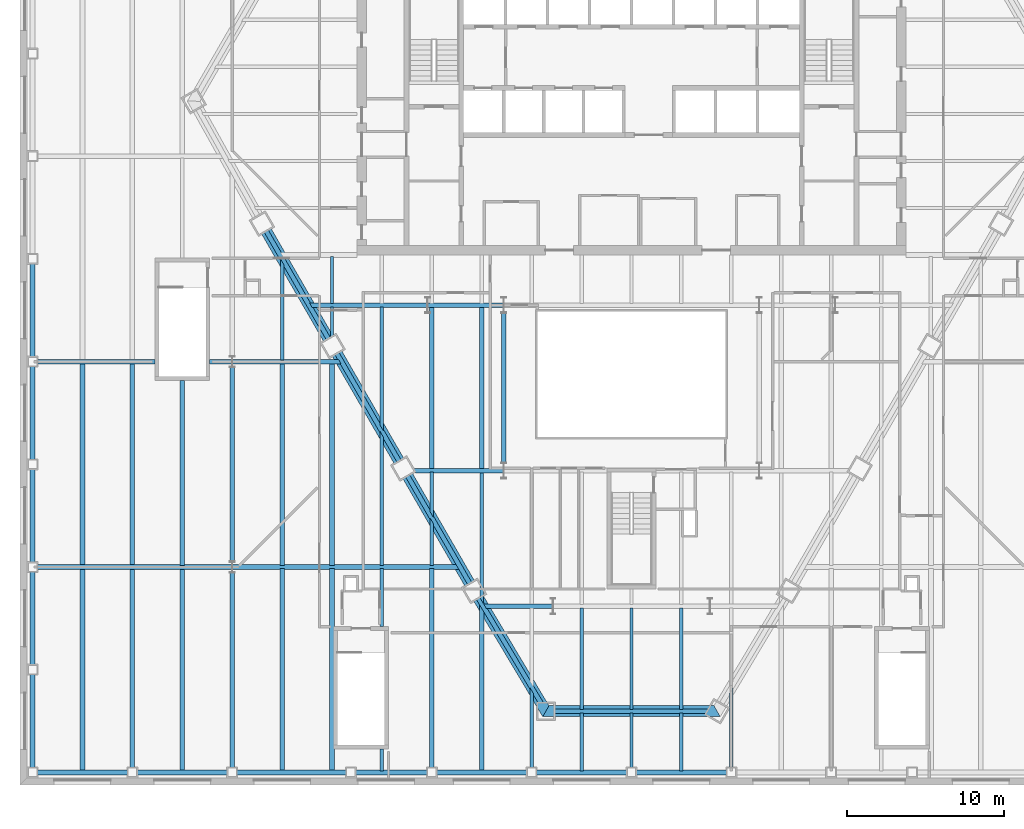
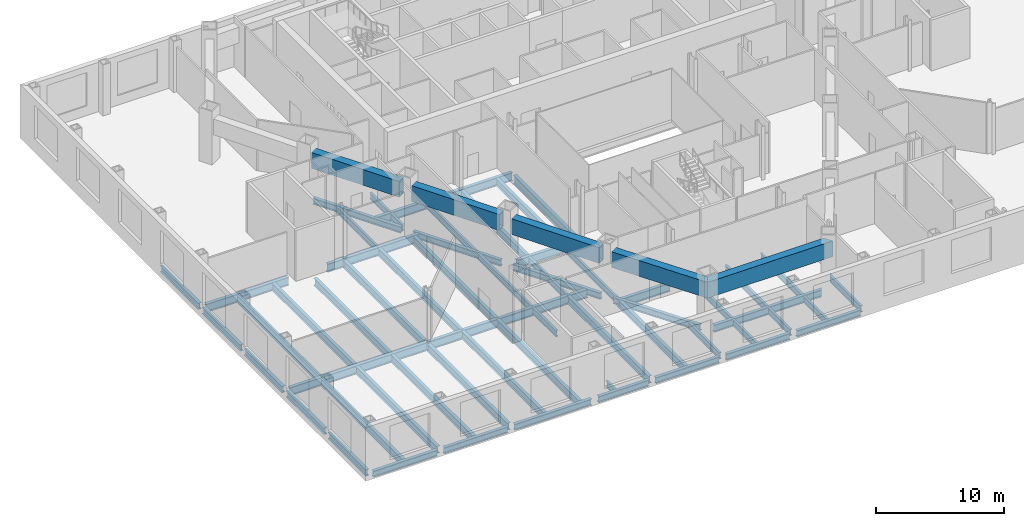
# One storey, part 4 of 17: 66 beams.
"""IFC4 building model written with IfcOpenShell, lengths in metres."""

from ifc_helpers import new_model, si_unit, direction, frame, origin, origin_2d, place, context, subcontext, project, spatial, hollow_rectangle, i_section, extrude, clip, halfspace, material, material_profile, profile_set, type_object, element, save


model = new_model("IFC4")

# Units and contexts
model_context = context("Model", 3, precision=1e-05, world=origin(), true_north=direction((0.0, 1.0)))
body_context = subcontext(model_context, "Body", "Model", "MODEL_VIEW")
ifc_project = project(units=[si_unit("LENGTHUNIT", "METRE"), si_unit("AREAUNIT", "SQUARE_METRE"), si_unit("VOLUMEUNIT", "CUBIC_METRE"), si_unit("PLANEANGLEUNIT", "RADIAN"), si_unit("MASSUNIT", "GRAM", prefix="KILO")], contexts=[model_context])

# Site, building, storey
site_placement = place(None, origin())
site = spatial("IfcSite", under=ifc_project, at=site_placement, CompositionType="ELEMENT")
building_placement = place(site_placement, origin())
building = spatial("IfcBuilding", under=site, at=building_placement, Name="Njiva Tower", CompositionType="ELEMENT")
storey_placement = place(building_placement, frame((0.0, 0.0, 23.7)))
storey = spatial("IfcBuildingStorey", under=building, at=storey_placement, Name="L04", CompositionType="ELEMENT", Elevation=23.7)

# Beams
ifc_material = material(Name="Steel S355 J2", Category="steel")
ifc_material_profile_1 = material_profile(ifc_material, i_section(OverallWidth=0.3, OverallDepth=0.69, WebThickness=0.0145, FlangeThickness=0.027, at=origin_2d()), Name="HEA 700")
ifc_profile_set_1 = profile_set([ifc_material_profile_1], Name="Steel S355 J2")
beam_type_1 = type_object("IfcBeamType", Name="B1 Long-span spandrel beam HEA 700", PredefinedType="SPANDREL", material=ifc_profile_set_1)
beam_1_placement = place(storey_placement, frame((-4.911, -29.096, -0.565), z_axis=(1.0, 0.0, 0.0), x_axis=(0.0, 1.0, 0.0)))
element("IfcBeam", 1, at=beam_1_placement, inside=storey, type_object=beam_type_1, Name="Long-span spandrel beam L04-B160", PredefinedType="SPANDREL", context=body_context, shape_type="Clipping", body=[
    clip(extrude(i_section(OverallWidth=0.3, OverallDepth=0.69, WebThickness=0.0145, FlangeThickness=0.027, at=origin_2d()), origin(), (0.0, 0.0, 1.0), 9.844), halfspace(frame((-0.0254, 0.0, 9.7223), z_axis=(-0.499998009787, 0.0, 0.866026552831), x_axis=(0.0, 1.0, 0.0)), False)),
])
ifc_material_profile_2 = material_profile(ifc_material, i_section(OverallWidth=0.3, OverallDepth=0.69, WebThickness=0.0145, FlangeThickness=0.027, at=origin_2d()), Name="HEA 700")
ifc_profile_set_2 = profile_set([ifc_material_profile_2], Name="Steel S355 J2")
beam_type_2 = type_object("IfcBeamType", Name="B12 Long-span floor joist HEA 700", PredefinedType="JOIST", material=ifc_profile_set_2)
for number, where, z_axis, x_axis, name in (
    (2, (-35.017, -6.9, -0.565), (0.0, -1.0, 0.0), (1.0, 0.0, 0.0), "Long-span floor joist L04-B037"),
    (3, (-35.017, -20.0, -0.565), (0.0, -1.0, 0.0), (1.0, 0.0, 0.0), "Long-span floor joist L04-B036"),
    (4, (-31.833, -6.9, -0.565), (0.0, -1.0, 0.0), (1.0, 0.0, 0.0), "Long-span floor joist L04-B041"),
):
    element("IfcBeam", number, at=place(storey_placement, frame(where, z_axis=z_axis, x_axis=x_axis)), inside=storey, type_object=beam_type_2, Name=name, PredefinedType="JOIST", context=body_context, shape_type="SweptSolid", body=[
        extrude(i_section(OverallWidth=0.3, OverallDepth=0.69, WebThickness=0.0145, FlangeThickness=0.027, at=origin_2d()), origin(), (0.0, 0.0, 1.0), 12.9),
    ])
beam_2_placement = place(storey_placement, frame((-31.833, -20.0, -0.565), z_axis=(0.0, -1.0, 0.0), x_axis=(1.0, 0.0, 0.0)))
element("IfcBeam", 5, at=beam_2_placement, inside=storey, type_object=beam_type_2, Name="Long-span floor joist L04-B040", PredefinedType="JOIST", context=body_context, shape_type="SweptSolid", body=[
    extrude(i_section(OverallWidth=0.3, OverallDepth=0.69, WebThickness=0.0145, FlangeThickness=0.027, at=origin_2d()), origin(), (0.0, 0.0, 1.0), 12.7),
])
beam_3_placement = place(storey_placement, frame((-28.65, -8.0, -0.565), z_axis=(0.0, -1.0, 0.0), x_axis=(1.0, 0.0, 0.0)))
element("IfcBeam", 6, at=beam_3_placement, inside=storey, type_object=beam_type_2, Name="Long-span floor joist L04-B045", PredefinedType="JOIST", context=body_context, shape_type="SweptSolid", body=[
    extrude(i_section(OverallWidth=0.3, OverallDepth=0.69, WebThickness=0.0145, FlangeThickness=0.027, at=origin_2d()), origin(), (0.0, 0.0, 1.0), 11.8),
])
beam_4_placement = place(storey_placement, frame((-28.65, -20.0, -0.565), z_axis=(0.0, -1.0, 0.0), x_axis=(1.0, 0.0, 0.0)))
element("IfcBeam", 7, at=beam_4_placement, inside=storey, type_object=beam_type_2, Name="Long-span floor joist L04-B044", PredefinedType="JOIST", context=body_context, shape_type="SweptSolid", body=[
    extrude(i_section(OverallWidth=0.3, OverallDepth=0.69, WebThickness=0.0145, FlangeThickness=0.027, at=origin_2d()), origin(), (0.0, 0.0, 1.0), 12.9),
])
beam_5_placement = place(storey_placement, frame((-25.467, -7.108, -0.565), z_axis=(0.0, -1.0, 0.0), x_axis=(1.0, 0.0, 0.0)))
element("IfcBeam", 8, at=beam_5_placement, inside=storey, type_object=beam_type_2, Name="Long-span floor joist L04-B049", PredefinedType="JOIST", context=body_context, shape_type="SweptSolid", body=[
    extrude(i_section(OverallWidth=0.3, OverallDepth=0.69, WebThickness=0.0145, FlangeThickness=0.027, at=origin_2d()), origin(), (0.0, 0.0, 1.0), 12.484),
])
beam_6_placement = place(storey_placement, frame((-25.467, -20.208, -0.565), z_axis=(0.0, -1.0, 0.0), x_axis=(1.0, 0.0, 0.0)))
element("IfcBeam", 9, at=beam_6_placement, inside=storey, type_object=beam_type_2, Name="Long-span floor joist L04-B048", PredefinedType="JOIST", context=body_context, shape_type="SweptSolid", body=[
    extrude(i_section(OverallWidth=0.3, OverallDepth=0.69, WebThickness=0.0145, FlangeThickness=0.027, at=origin_2d()), origin(), (0.0, 0.0, 1.0), 12.492),
])
for number, where, z_axis, x_axis, name in (
    (10, (-22.283, -6.9, -0.565), (0.0, -1.0, 0.0), (1.0, 0.0, 0.0), "Long-span floor joist L04-B053"),
    (11, (-22.283, -20.001, -0.565), (0.0, -1.0, 0.0), (1.0, 0.0, 0.0), "Long-span floor joist L04-B052"),
    (12, (-19.1, -6.9, -0.565), (0.0, -1.0, 0.0), (1.0, 0.0, 0.0), "Long-span floor joist L04-B056"),
    (13, (-19.1, -20.001, -0.565), (0.0, -1.0, 0.0), (1.0, 0.0, 0.0), "Long-span floor joist L04-B055"),
):
    element("IfcBeam", number, at=place(storey_placement, frame(where, z_axis=z_axis, x_axis=x_axis)), inside=storey, type_object=beam_type_2, Name=name, PredefinedType="JOIST", context=body_context, shape_type="SweptSolid", body=[
        extrude(i_section(OverallWidth=0.3, OverallDepth=0.69, WebThickness=0.0145, FlangeThickness=0.027, at=origin_2d()), origin(), (0.0, 0.0, 1.0), 12.899),
    ])
beam_7_placement = place(storey_placement, frame((-12.733, -3.3, -0.565), z_axis=(0.0, -1.0, 0.0), x_axis=(1.0, 0.0, 0.0)))
element("IfcBeam", 14, at=beam_7_placement, inside=storey, type_object=beam_type_2, Name="Long-span floor joist L04-B067", PredefinedType="JOIST", context=body_context, shape_type="SweptSolid", body=[
    extrude(i_section(OverallWidth=0.3, OverallDepth=0.69, WebThickness=0.0145, FlangeThickness=0.027, at=origin_2d()), origin(), (0.0, 0.0, 1.0), 10.35),
])
beam_8_placement = place(storey_placement, frame((-12.733, -20.001, -0.565), z_axis=(0.0, -1.0, 0.0), x_axis=(1.0, 0.0, 0.0)))
element("IfcBeam", 15, at=beam_8_placement, inside=storey, type_object=beam_type_2, Name="Long-span floor joist L04-B064", PredefinedType="JOIST", context=body_context, shape_type="SweptSolid", body=[
    extrude(i_section(OverallWidth=0.3, OverallDepth=0.69, WebThickness=0.0145, FlangeThickness=0.027, at=origin_2d()), origin(), (0.0, 0.0, 1.0), 12.699),
])
beam_9_placement = place(storey_placement, frame((-9.55, -3.3, -0.565), z_axis=(0.0, -1.0, 0.0), x_axis=(1.0, 0.0, 0.0)))
element("IfcBeam", 16, at=beam_9_placement, inside=storey, type_object=beam_type_2, Name="Long-span floor joist L04-B071", PredefinedType="JOIST", context=body_context, shape_type="SweptSolid", body=[
    extrude(i_section(OverallWidth=0.3, OverallDepth=0.69, WebThickness=0.0145, FlangeThickness=0.027, at=origin_2d()), origin(), (0.0, 0.0, 1.0), 10.35),
])
beam_10_placement = place(storey_placement, frame((-9.55, -22.243, -0.565), z_axis=(0.0, -1.0, 0.0), x_axis=(1.0, 0.0, 0.0)))
element("IfcBeam", 17, at=beam_10_placement, inside=storey, type_object=beam_type_2, Name="Long-span floor joist L04-B069", PredefinedType="JOIST", context=body_context, shape_type="Clipping", body=[
    clip(extrude(i_section(OverallWidth=0.3, OverallDepth=0.69, WebThickness=0.0145, FlangeThickness=0.027, at=origin_2d()), origin(), (0.0, 0.0, 1.0), 10.657), halfspace(frame((0.0429, 0.0, 0.2758), z_axis=(0.858483100847, 0.0, -0.512841852388), x_axis=(0.0, -1.0, 0.0)), False)),
])
ifc_material_profile_3 = material_profile(ifc_material, i_section(OverallWidth=0.22, OverallDepth=0.6, WebThickness=0.012, FlangeThickness=0.019, at=origin_2d()), Name="IPE 600")
ifc_profile_set_3 = profile_set([ifc_material_profile_3], Name="Steel S355 J2")
beam_type_3 = type_object("IfcBeamType", Name="B13 Floor joist IPE 600", PredefinedType="JOIST", material=ifc_profile_set_3)
beam_11_placement = place(storey_placement, frame((-22.283, -0.215, -0.52), z_axis=(0.0, -1.0, 0.0), x_axis=(1.0, 0.0, 0.0)))
element("IfcBeam", 18, at=beam_11_placement, inside=storey, type_object=beam_type_3, Name="Floor joist L04-B054", PredefinedType="JOIST", context=body_context, shape_type="Clipping", body=[
    clip(extrude(i_section(OverallWidth=0.22, OverallDepth=0.6, WebThickness=0.012, FlangeThickness=0.019, at=origin_2d()), origin(), (0.0, 0.0, 1.0), 6.485), halfspace(frame((0.043, 0.0, 0.2859), z_axis=(0.866026552831, 0.0, -0.499998009787), x_axis=(0.0, -1.0, 0.0)), False)),
])
beam_12_placement = place(storey_placement, frame((-15.917, -3.3, -0.52), z_axis=(0.0, -1.0, 0.0), x_axis=(1.0, 0.0, 0.0)))
element("IfcBeam", 19, at=beam_12_placement, inside=storey, type_object=beam_type_3, Name="Floor joist L04-B062", PredefinedType="JOIST", context=body_context, shape_type="Clipping", body=[
    clip(extrude(i_section(OverallWidth=0.22, OverallDepth=0.6, WebThickness=0.012, FlangeThickness=0.019, at=origin_2d()), origin(), (0.0, 0.0, 1.0), 7.964), halfspace(frame((-0.043, 0.0, 7.6783), z_axis=(-0.866026552831, 0.0, 0.499998009787), x_axis=(0.0, 1.0, 0.0)), False)),
])
beam_13_placement = place(storey_placement, frame((-15.917, -11.242, -0.52), z_axis=(0.0, -1.0, 0.0), x_axis=(1.0, 0.0, 0.0)))
element("IfcBeam", 20, at=beam_13_placement, inside=storey, type_object=beam_type_3, Name="Floor joist L04-B061", PredefinedType="JOIST", context=body_context, shape_type="Clipping", body=[
    clip(extrude(i_section(OverallWidth=0.22, OverallDepth=0.6, WebThickness=0.012, FlangeThickness=0.019, at=origin_2d()), origin(), (0.0, 0.0, 1.0), 8.557), halfspace(frame((0.0436, 0.0, 0.2863), z_axis=(0.866026552831, 0.0, -0.499998009787), x_axis=(0.0, -1.0, 0.0)), False)),
])
beam_14_placement = place(storey_placement, frame((-9.55, -13.85, -0.52), z_axis=(0.0, -1.0, 0.0), x_axis=(1.0, 0.0, 0.0)))
element("IfcBeam", 21, at=beam_14_placement, inside=storey, type_object=beam_type_3, Name="Floor joist L04-B070", PredefinedType="JOIST", context=body_context, shape_type="Clipping", body=[
    clip(extrude(i_section(OverallWidth=0.22, OverallDepth=0.6, WebThickness=0.012, FlangeThickness=0.019, at=origin_2d()), origin(), (0.0, 0.0, 1.0), 8.411), halfspace(frame((-0.0429, 0.0, 8.1351), z_axis=(-0.858483100847, 0.0, 0.512841852388), x_axis=(0.0, 1.0, 0.0)), False)),
])
beam_15_placement = place(storey_placement, frame((-6.367, -27.572, -0.52), z_axis=(0.0, -1.0, 0.0), x_axis=(1.0, 0.0, 0.0)))
element("IfcBeam", 22, at=beam_15_placement, inside=storey, type_object=beam_type_3, Name="Floor joist L04-B073", PredefinedType="JOIST", context=body_context, shape_type="Clipping", body=[
    clip(extrude(i_section(OverallWidth=0.22, OverallDepth=0.6, WebThickness=0.012, FlangeThickness=0.019, at=origin_2d()), origin(), (0.0, 0.0, 1.0), 5.128), halfspace(frame((0.0433, 0.0, 0.2756), z_axis=(0.858483100847, 0.0, -0.512841852388), x_axis=(0.0, -1.0, 0.0)), False)),
])
for number, where, z_axis, x_axis, name in (
    (23, (-3.183, -22.5, -0.52), (0.0, -1.0, 0.0), (1.0, 0.0, 0.0), "Floor joist L04-B078"),
    (24, (0.0, -22.5, -0.52), (0.0, -1.0, 0.0), (1.0, 0.0, 0.0), "Floor joist L04-B082"),
    (25, (3.183, -22.5, -0.52), (0.0, -1.0, 0.0), (1.0, 0.0, 0.0), "Floor joist L04-B086"),
):
    element("IfcBeam", number, at=place(storey_placement, frame(where, z_axis=z_axis, x_axis=x_axis)), inside=storey, type_object=beam_type_3, Name=name, PredefinedType="JOIST", context=body_context, shape_type="SweptSolid", body=[
        extrude(i_section(OverallWidth=0.22, OverallDepth=0.6, WebThickness=0.012, FlangeThickness=0.019, at=origin_2d()), origin(), (0.0, 0.0, 1.0), 6.496),
    ])
beam_16_placement = place(storey_placement, frame((6.367, -27.572, -0.52), z_axis=(0.0, -1.0, 0.0), x_axis=(1.0, 0.0, 0.0)))
element("IfcBeam", 26, at=beam_16_placement, inside=storey, type_object=beam_type_3, Name="Floor joist L04-B089", PredefinedType="JOIST", context=body_context, shape_type="Clipping", body=[
    clip(extrude(i_section(OverallWidth=0.22, OverallDepth=0.6, WebThickness=0.012, FlangeThickness=0.019, at=origin_2d()), origin(), (0.0, 0.0, 1.0), 5.128), halfspace(frame((-0.0433, 0.0, 0.2756), z_axis=(-0.858483100847, 0.0, -0.512841852388), x_axis=(0.0, -1.0, 0.0)), False)),
])
ifc_material_profile_4 = material_profile(ifc_material, i_section(OverallWidth=0.22, OverallDepth=0.6, WebThickness=0.012, FlangeThickness=0.019, at=origin_2d()), Name="IPE 600")
ifc_profile_set_4 = profile_set([ifc_material_profile_4], Name="Steel S355 J2")
beam_type_4 = type_object("IfcBeamType", Name="B14 Short-span floor joist IPE 600", PredefinedType="JOIST", material=ifc_profile_set_4)
beam_17_placement = place(storey_placement, frame((-19.1, -0.1, -0.52), z_axis=(0.0, -1.0, 0.0), x_axis=(1.0, 0.0, 0.0)))
element("IfcBeam", 27, at=beam_17_placement, inside=storey, type_object=beam_type_4, Name="Short-span floor joist L04-B058", PredefinedType="JOIST", context=body_context, shape_type="SweptSolid", body=[
    extrude(i_section(OverallWidth=0.22, OverallDepth=0.6, WebThickness=0.012, FlangeThickness=0.019, at=origin_2d()), origin(), (0.0, 0.0, 1.0), 3.0),
])
beam_18_placement = place(storey_placement, frame((-19.1, -3.3, -0.52), z_axis=(0.0, -1.0, 0.0), x_axis=(1.0, 0.0, 0.0)))
element("IfcBeam", 28, at=beam_18_placement, inside=storey, type_object=beam_type_4, Name="Short-span floor joist L04-B057", PredefinedType="JOIST", context=body_context, shape_type="Clipping", body=[
    clip(extrude(i_section(OverallWidth=0.22, OverallDepth=0.6, WebThickness=0.012, FlangeThickness=0.019, at=origin_2d()), origin(), (0.0, 0.0, 1.0), 1.978), halfspace(frame((0.025, 0.0, 1.88), z_axis=(0.499998009787, 0.0, 0.866026552831), x_axis=(0.0, 1.0, 0.0)), False)),
])
beam_19_placement = place(storey_placement, frame((-15.917, -20.001, -0.52), z_axis=(0.0, -1.0, 0.0), x_axis=(1.0, 0.0, 0.0)))
element("IfcBeam", 29, at=beam_19_placement, inside=storey, type_object=beam_type_4, Name="Short-span floor joist L04-B060", PredefinedType="JOIST", context=body_context, shape_type="SweptSolid", body=[
    extrude(i_section(OverallWidth=0.22, OverallDepth=0.6, WebThickness=0.012, FlangeThickness=0.019, at=origin_2d()), origin(), (0.0, 0.0, 1.0), 3.699),
])
beam_20_placement = place(storey_placement, frame((-15.917, -31.5, -0.52), z_axis=(0.0, -1.0, 0.0), x_axis=(1.0, 0.0, 0.0)))
element("IfcBeam", 30, at=beam_20_placement, inside=storey, type_object=beam_type_4, Name="Short-span floor joist L04-B059", PredefinedType="JOIST", context=body_context, shape_type="SweptSolid", body=[
    extrude(i_section(OverallWidth=0.22, OverallDepth=0.6, WebThickness=0.012, FlangeThickness=0.019, at=origin_2d()), origin(), (0.0, 0.0, 1.0), 1.4),
])
beam_21_placement = place(storey_placement, frame((-12.733, -13.85, -0.52), z_axis=(0.0, -1.0, 0.0), x_axis=(1.0, 0.0, 0.0)))
element("IfcBeam", 31, at=beam_21_placement, inside=storey, type_object=beam_type_4, Name="Short-span floor joist L04-B066", PredefinedType="JOIST", context=body_context, shape_type="Clipping", body=[
    clip(extrude(i_section(OverallWidth=0.22, OverallDepth=0.6, WebThickness=0.012, FlangeThickness=0.019, at=origin_2d()), origin(), (0.0, 0.0, 1.0), 2.928), halfspace(frame((-0.0436, 0.0, 2.642), z_axis=(-0.866026552831, 0.0, 0.499998009787), x_axis=(0.0, 1.0, 0.0)), False)),
])
beam_22_placement = place(storey_placement, frame((-12.733, -16.756, -0.52), z_axis=(0.0, -1.0, 0.0), x_axis=(1.0, 0.0, 0.0)))
element("IfcBeam", 32, at=beam_22_placement, inside=storey, type_object=beam_type_4, Name="Short-span floor joist L04-B065", PredefinedType="JOIST", context=body_context, shape_type="Clipping", body=[
    clip(extrude(i_section(OverallWidth=0.22, OverallDepth=0.6, WebThickness=0.012, FlangeThickness=0.019, at=origin_2d()), origin(), (0.0, 0.0, 1.0), 3.043), halfspace(frame((0.043, 0.0, 0.286), z_axis=(0.866026552831, 0.0, -0.499998009787), x_axis=(0.0, -1.0, 0.0)), False)),
])
beam_23_placement = place(storey_placement, frame((-3.183, -29.196, -0.52), z_axis=(0.0, -1.0, 0.0), x_axis=(1.0, 0.0, 0.0)))
element("IfcBeam", 33, at=beam_23_placement, inside=storey, type_object=beam_type_4, Name="Short-span floor joist L04-B077", PredefinedType="JOIST", context=body_context, shape_type="SweptSolid", body=[
    extrude(i_section(OverallWidth=0.22, OverallDepth=0.6, WebThickness=0.012, FlangeThickness=0.019, at=origin_2d()), origin(), (0.0, 0.0, 1.0), 3.704),
])
beam_24_placement = place(storey_placement, frame((0.0, -29.196, -0.52), z_axis=(0.0, -1.0, 0.0), x_axis=(1.0, 0.0, 0.0)))
element("IfcBeam", 34, at=beam_24_placement, inside=storey, type_object=beam_type_4, Name="Short-span floor joist L04-B081", PredefinedType="JOIST", context=body_context, shape_type="SweptSolid", body=[
    extrude(i_section(OverallWidth=0.22, OverallDepth=0.6, WebThickness=0.012, FlangeThickness=0.019, at=origin_2d()), origin(), (0.0, 0.0, 1.0), 3.504),
])
beam_25_placement = place(storey_placement, frame((3.183, -29.196, -0.52), z_axis=(0.0, -1.0, 0.0), x_axis=(1.0, 0.0, 0.0)))
element("IfcBeam", 35, at=beam_25_placement, inside=storey, type_object=beam_type_4, Name="Short-span floor joist L04-B085", PredefinedType="JOIST", context=body_context, shape_type="SweptSolid", body=[
    extrude(i_section(OverallWidth=0.22, OverallDepth=0.6, WebThickness=0.012, FlangeThickness=0.019, at=origin_2d()), origin(), (0.0, 0.0, 1.0), 3.704),
])
ifc_material_profile_5 = material_profile(ifc_material, i_section(OverallWidth=0.3, OverallDepth=0.6, WebThickness=0.0155, FlangeThickness=0.03, at=origin_2d()), Name="HEB 600")
ifc_profile_set_5 = profile_set([ifc_material_profile_5], Name="Steel S355 J2")
beam_type_5 = type_object("IfcBeamType", Name="B2 Spandrel beam HEB 600", PredefinedType="SPANDREL", material=ifc_profile_set_5)
beam_26_placement = place(storey_placement, frame((-23.294, 1.524, -0.52), z_axis=(0.500025004646, -0.866010966864, 0.0), x_axis=(0.866010966864, 0.500025004646, 0.0)))
element("IfcBeam", 36, at=beam_26_placement, inside=storey, type_object=beam_type_5, Name="Spandrel beam L04-B150", PredefinedType="SPANDREL", context=body_context, shape_type="SweptSolid", body=[
    extrude(i_section(OverallWidth=0.3, OverallDepth=0.6, WebThickness=0.0155, FlangeThickness=0.03, at=origin_2d()), origin(), (0.0, 0.0, 1.0), 7.9156),
])
beam_27_placement = place(storey_placement, frame((-18.786, -6.283, -0.52), z_axis=(0.499970304126, -0.866042548026, 0.0), x_axis=(0.866042548026, 0.499970304126, 0.0)))
element("IfcBeam", 37, at=beam_27_placement, inside=storey, type_object=beam_type_5, Name="Spandrel beam L04-B152", PredefinedType="SPANDREL", context=body_context, shape_type="SweptSolid", body=[
    extrude(i_section(OverallWidth=0.3, OverallDepth=0.6, WebThickness=0.0155, FlangeThickness=0.03, at=origin_2d()), origin(), (0.0, 0.0, 1.0), 7.9165),
])
beam_28_placement = place(storey_placement, frame((-14.278, -14.091, -0.52), z_axis=(0.499930249268, -0.866065670643, 0.0), x_axis=(0.866065670643, 0.499930249268, 0.0)))
element("IfcBeam", 38, at=beam_28_placement, inside=storey, type_object=beam_type_5, Name="Spandrel beam L04-B154", PredefinedType="SPANDREL", context=body_context, shape_type="SweptSolid", body=[
    extrude(i_section(OverallWidth=0.3, OverallDepth=0.6, WebThickness=0.0155, FlangeThickness=0.03, at=origin_2d()), origin(), (0.0, 0.0, 1.0), 7.9151),
])
beam_29_placement = place(storey_placement, frame((-9.763, -21.896, -0.52), z_axis=(0.512881198595, -0.85845959493, 0.0), x_axis=(0.85845959493, 0.512881198595, 0.0)))
element("IfcBeam", 39, at=beam_29_placement, inside=storey, type_object=beam_type_5, Name="Spandrel beam L04-B157", PredefinedType="SPANDREL", context=body_context, shape_type="Clipping", body=[
    clip(extrude(i_section(OverallWidth=0.3, OverallDepth=0.6, WebThickness=0.0155, FlangeThickness=0.03, at=origin_2d()), origin(), (0.0, 0.0, 1.0), 7.8564), halfspace(frame((-0.0257, 0.0, 7.7311), z_axis=(-0.512881198595, 0.0, 0.85845959493), x_axis=(0.0, 1.0, 0.0)), False)),
])
for number, where, z_axis, x_axis, name in (
    (40, (-38.2, -0.55, -0.52), (0.0, -1.0, 0.0), (1.0, 0.0, 0.0), "Spandrel beam L04-B138"),
    (41, (-38.2, -7.1, -0.52), (0.0, -1.0, 0.0), (1.0, 0.0, 0.0), "Spandrel beam L04-B137"),
    (42, (-38.2, -13.65, -0.52), (0.0, -1.0, 0.0), (1.0, 0.0, 0.0), "Spandrel beam L04-B136"),
    (43, (-38.2, -20.2, -0.52), (0.0, -1.0, 0.0), (1.0, 0.0, 0.0), "Spandrel beam L04-B135"),
    (44, (-38.2, -26.75, -0.52), (0.0, -1.0, 0.0), (1.0, 0.0, 0.0), "Spandrel beam L04-B134"),
):
    element("IfcBeam", number, at=place(storey_placement, frame(where, z_axis=z_axis, x_axis=x_axis)), inside=storey, type_object=beam_type_5, Name=name, PredefinedType="SPANDREL", context=body_context, shape_type="SweptSolid", body=[
        extrude(i_section(OverallWidth=0.3, OverallDepth=0.6, WebThickness=0.0155, FlangeThickness=0.03, at=origin_2d()), origin(), (0.0, 0.0, 1.0), 5.95),
    ])
beam_30_placement = place(storey_placement, frame((-37.9, -33.0, -0.52), z_axis=(1.0, 0.0, 0.0), x_axis=(0.0, 1.0, 0.0)))
element("IfcBeam", 45, at=beam_30_placement, inside=storey, type_object=beam_type_5, Name="Spandrel beam L04-B142", PredefinedType="SPANDREL", context=body_context, shape_type="SweptSolid", body=[
    extrude(i_section(OverallWidth=0.3, OverallDepth=0.6, WebThickness=0.0155, FlangeThickness=0.03, at=origin_2d()), origin(), (0.0, 0.0, 1.0), 5.767),
])
beam_31_placement = place(storey_placement, frame((-31.533, -33.0, -0.52), z_axis=(1.0, 0.0, 0.0), x_axis=(0.0, 1.0, 0.0)))
element("IfcBeam", 46, at=beam_31_placement, inside=storey, type_object=beam_type_5, Name="Spandrel beam L04-B144", PredefinedType="SPANDREL", context=body_context, shape_type="SweptSolid", body=[
    extrude(i_section(OverallWidth=0.3, OverallDepth=0.6, WebThickness=0.0155, FlangeThickness=0.03, at=origin_2d()), origin(), (0.0, 0.0, 1.0), 5.766),
])
beam_32_placement = place(storey_placement, frame((-25.167, -33.0, -0.52), z_axis=(1.0, 0.0, 0.0), x_axis=(0.0, 1.0, 0.0)))
element("IfcBeam", 47, at=beam_32_placement, inside=storey, type_object=beam_type_5, Name="Spandrel beam L04-B148", PredefinedType="SPANDREL", context=body_context, shape_type="SweptSolid", body=[
    extrude(i_section(OverallWidth=0.3, OverallDepth=0.6, WebThickness=0.0155, FlangeThickness=0.03, at=origin_2d()), origin(), (0.0, 0.0, 1.0), 6.967),
])
beam_33_placement = place(storey_placement, frame((-17.6, -33.0, -0.52), z_axis=(1.0, 0.0, 0.0), x_axis=(0.0, 1.0, 0.0)))
element("IfcBeam", 48, at=beam_33_placement, inside=storey, type_object=beam_type_5, Name="Spandrel beam L04-B153", PredefinedType="SPANDREL", context=body_context, shape_type="SweptSolid", body=[
    extrude(i_section(OverallWidth=0.3, OverallDepth=0.6, WebThickness=0.0155, FlangeThickness=0.03, at=origin_2d()), origin(), (0.0, 0.0, 1.0), 4.567),
])
beam_34_placement = place(storey_placement, frame((-12.433, -33.0, -0.52), z_axis=(1.0, 0.0, 0.0), x_axis=(0.0, 1.0, 0.0)))
element("IfcBeam", 49, at=beam_34_placement, inside=storey, type_object=beam_type_5, Name="Spandrel beam L04-B156", PredefinedType="SPANDREL", context=body_context, shape_type="SweptSolid", body=[
    extrude(i_section(OverallWidth=0.3, OverallDepth=0.6, WebThickness=0.0155, FlangeThickness=0.03, at=origin_2d()), origin(), (0.0, 0.0, 1.0), 5.766),
])
for number, where, z_axis, x_axis, name in (
    (50, (-6.067, -33.0, -0.52), (1.0, 0.0, 0.0), (0.0, 1.0, 0.0), "Spandrel beam L04-B158"),
    (51, (0.3, -33.0, -0.52), (1.0, 0.0, 0.0), (0.0, 1.0, 0.0), "Spandrel beam L04-B162"),
):
    element("IfcBeam", number, at=place(storey_placement, frame(where, z_axis=z_axis, x_axis=x_axis)), inside=storey, type_object=beam_type_5, Name=name, PredefinedType="SPANDREL", context=body_context, shape_type="SweptSolid", body=[
        extrude(i_section(OverallWidth=0.3, OverallDepth=0.6, WebThickness=0.0155, FlangeThickness=0.03, at=origin_2d()), origin(), (0.0, 0.0, 1.0), 5.767),
    ])
ifc_material_profile_6 = material_profile(ifc_material, i_section(OverallWidth=0.3, OverallDepth=0.79, WebThickness=0.015, FlangeThickness=0.028, at=origin_2d()), Name="HEA 800")
ifc_profile_set_6 = profile_set([ifc_material_profile_6], Name="Steel S355 J2")
beam_type_6 = type_object("IfcBeamType", Name="B4 Floor girder HEA 800", PredefinedType="BEAM", material=ifc_profile_set_6)
beam_35_placement = place(storey_placement, frame((-20.558, -3.2, -0.615), z_axis=(1.0, 0.0, 0.0), x_axis=(0.0, 1.0, 0.0)))
element("IfcBeam", 52, at=beam_35_placement, inside=storey, type_object=beam_type_6, Name="Floor girder L04-B020", PredefinedType="BEAM", context=body_context, shape_type="Clipping", body=[
    clip(extrude(i_section(OverallWidth=0.3, OverallDepth=0.79, WebThickness=0.015, FlangeThickness=0.028, at=origin_2d()), origin(), (0.0, 0.0, 1.0), 7.558), halfspace(frame((-0.025, 0.0, 0.1217), z_axis=(-0.499998009787, 0.0, -0.866026552831), x_axis=(0.0, -1.0, 0.0)), False)),
])
beam_36_placement = place(storey_placement, frame((-13.0, -3.2, -0.615), z_axis=(1.0, 0.0, 0.0), x_axis=(0.0, 1.0, 0.0)))
element("IfcBeam", 53, at=beam_36_placement, inside=storey, type_object=beam_type_6, Name="Floor girder L04-B022", PredefinedType="BEAM", context=body_context, shape_type="SweptSolid", body=[
    extrude(i_section(OverallWidth=0.3, OverallDepth=0.79, WebThickness=0.015, FlangeThickness=0.028, at=origin_2d()), origin(), (0.0, 0.0, 1.0), 4.85),
])
beam_37_placement = place(storey_placement, frame((-13.947, -13.75, -0.615), z_axis=(1.0, 0.0, 0.0), x_axis=(0.0, 1.0, 0.0)))
element("IfcBeam", 54, at=beam_37_placement, inside=storey, type_object=beam_type_6, Name="Floor girder L04-B021", PredefinedType="BEAM", context=body_context, shape_type="Clipping", body=[
    clip(extrude(i_section(OverallWidth=0.3, OverallDepth=0.79, WebThickness=0.015, FlangeThickness=0.028, at=origin_2d()), origin(), (0.0, 0.0, 1.0), 5.797), halfspace(frame((-0.025, 0.0, 0.1215), z_axis=(-0.499998009787, 0.0, -0.866026552831), x_axis=(0.0, -1.0, 0.0)), False)),
])
beam_38_placement = place(storey_placement, frame((-37.9, -6.8, -0.615), z_axis=(1.0, 0.0, 0.0), x_axis=(0.0, 1.0, 0.0)))
element("IfcBeam", 55, at=beam_38_placement, inside=storey, type_object=beam_type_6, Name="Floor girder L04-B014", PredefinedType="BEAM", context=body_context, shape_type="SweptSolid", body=[
    extrude(i_section(OverallWidth=0.3, OverallDepth=0.79, WebThickness=0.015, FlangeThickness=0.028, at=origin_2d()), origin(), (0.0, 0.0, 1.0), 7.5),
])
beam_39_placement = place(storey_placement, frame((-25.467, -6.8, -0.615), z_axis=(1.0, 0.0, 0.0), x_axis=(0.0, 1.0, 0.0)))
element("IfcBeam", 56, at=beam_39_placement, inside=storey, type_object=beam_type_6, Name="Floor girder L04-B018", PredefinedType="BEAM", context=body_context, shape_type="Clipping", body=[
    clip(extrude(i_section(OverallWidth=0.3, OverallDepth=0.79, WebThickness=0.015, FlangeThickness=0.028, at=origin_2d()), origin(), (0.0, 0.0, 1.0), 6.971), halfspace(frame((0.025, 0.0, 6.8493), z_axis=(0.499998009787, 0.0, 0.866026552831), x_axis=(0.0, 1.0, 0.0)), False)),
])
ifc_material_profile_7 = material_profile(ifc_material, i_section(OverallWidth=0.3, OverallDepth=0.79, WebThickness=0.015, FlangeThickness=0.028, at=origin_2d()), Name="HEA 800")
ifc_profile_set_7 = profile_set([ifc_material_profile_7], Name="Steel S355 J2")
beam_type_7 = type_object("IfcBeamType", Name="B5 Short-span floor girder HEA 800", PredefinedType="BEAM", material=ifc_profile_set_7)
beam_40_placement = place(storey_placement, frame((-9.455, -22.4, -0.615), z_axis=(1.0, 0.0, 0.0), x_axis=(0.0, 1.0, 0.0)))
element("IfcBeam", 57, at=beam_40_placement, inside=storey, type_object=beam_type_7, Name="Short-span floor girder L04-B023", PredefinedType="BEAM", context=body_context, shape_type="Clipping", body=[
    clip(extrude(i_section(OverallWidth=0.3, OverallDepth=0.79, WebThickness=0.015, FlangeThickness=0.028, at=origin_2d()), origin(), (0.0, 0.0, 1.0), 4.455), halfspace(frame((-0.0256, 0.0, 0.1253), z_axis=(-0.512841852388, 0.0, -0.858483100847), x_axis=(0.0, -1.0, 0.0)), False)),
])
beam_41_placement = place(storey_placement, frame((-26.9, -6.8, -0.615), z_axis=(1.0, 0.0, 0.0), x_axis=(0.0, 1.0, 0.0)))
element("IfcBeam", 58, at=beam_41_placement, inside=storey, type_object=beam_type_7, Name="Short-span floor girder L04-B016", PredefinedType="BEAM", context=body_context, shape_type="SweptSolid", body=[
    extrude(i_section(OverallWidth=0.3, OverallDepth=0.79, WebThickness=0.015, FlangeThickness=0.028, at=origin_2d()), origin(), (0.0, 0.0, 1.0), 1.433),
])
ifc_material_profile_8 = material_profile(ifc_material, i_section(OverallWidth=0.3, OverallDepth=0.79, WebThickness=0.015, FlangeThickness=0.028, at=origin_2d()), Name="HEA 800")
ifc_profile_set_8 = profile_set([ifc_material_profile_8], Name="Steel S355 J2")
beam_type_8 = type_object("IfcBeamType", Name="B6 Long-span floor girder HEA 800", PredefinedType="BEAM", material=ifc_profile_set_8)
beam_42_placement = place(storey_placement, frame((-37.9, -19.9, -0.615), z_axis=(1.0, 0.0, 0.0), x_axis=(0.0, 1.0, 0.0)))
element("IfcBeam", 59, at=beam_42_placement, inside=storey, type_object=beam_type_8, Name="Long-span floor girder L04-B013", PredefinedType="BEAM", context=body_context, shape_type="SweptSolid", body=[
    extrude(i_section(OverallWidth=0.3, OverallDepth=0.79, WebThickness=0.015, FlangeThickness=0.028, at=origin_2d()), origin(), (0.0, 0.0, 1.0), 12.433),
])
ifc_material_profile_9 = material_profile(ifc_material, i_section(OverallWidth=0.303, OverallDepth=0.814, WebThickness=0.021, FlangeThickness=0.04, at=origin_2d()), Name="HEM 800")
ifc_profile_set_9 = profile_set([ifc_material_profile_9], Name="Steel S355 J2")
beam_type_9 = type_object("IfcBeamType", Name="B7 Long-span floor girder HEM 800", PredefinedType="BEAM", material=ifc_profile_set_9)
beam_43_placement = place(storey_placement, frame((-25.467, -19.9, -0.627), z_axis=(1.0, 0.0, 0.0), x_axis=(0.0, 1.0, 0.0)))
element("IfcBeam", 60, at=beam_43_placement, inside=storey, type_object=beam_type_9, Name="Long-span floor girder L04-B017", PredefinedType="BEAM", context=body_context, shape_type="Clipping", body=[
    clip(extrude(i_section(OverallWidth=0.303, OverallDepth=0.814, WebThickness=0.021, FlangeThickness=0.04, at=origin_2d()), origin(), (0.0, 0.0, 1.0), 14.534), halfspace(frame((0.025, 0.0, 14.4126), z_axis=(0.499998009787, 0.0, 0.866026552831), x_axis=(0.0, 1.0, 0.0)), False)),
])
ifc_material_profile_10 = material_profile(ifc_material, i_section(OverallWidth=0.3, OverallDepth=0.79, WebThickness=0.015, FlangeThickness=0.028, at=origin_2d()), Name="HEA 800")
ifc_profile_set_10 = profile_set([ifc_material_profile_10], Name="Steel S355 J2")
beam_type_10 = type_object("IfcBeamType", Name="B9 Long-span atrium trimmer beam HEA 800", PredefinedType="BEAM", material=ifc_profile_set_10)
beam_44_placement = place(storey_placement, frame((-8.15, -3.654, -0.615), z_axis=(0.0, -1.0, 0.0), x_axis=(1.0, 0.0, 0.0)))
element("IfcBeam", 61, at=beam_44_placement, inside=storey, type_object=beam_type_10, Name="Long-span atrium trimmer beam L04-B131", PredefinedType="BEAM", context=body_context, shape_type="SweptSolid", body=[
    extrude(i_section(OverallWidth=0.3, OverallDepth=0.79, WebThickness=0.015, FlangeThickness=0.028, at=origin_2d()), origin(), (0.0, 0.0, 1.0), 9.642),
])
ifc_material_profile_11 = material_profile(ifc_material, hollow_rectangle(XDim=0.7, YDim=1.5, WallThickness=0.07, at=origin_2d()), Name="BOX 1500x700x70")
ifc_profile_set_11 = profile_set([ifc_material_profile_11], Name="Steel S355 J2")
beam_type_11 = type_object("IfcBeamType", Name="TG1 Transfer girder BOX 1500x700x70", PredefinedType="BEAM", material=ifc_profile_set_11)
beam_45_placement = place(storey_placement, frame((-23.294, 1.524, 3.5), z_axis=(0.500025004646, -0.866010966864, 0.0), x_axis=(0.866010966864, 0.500025004646, 0.0)))
element("IfcBeam", 62, at=beam_45_placement, inside=storey, type_object=beam_type_11, Name="Transfer girder TG-08", PredefinedType="BEAM", context=body_context, shape_type="SweptSolid", body=[
    extrude(hollow_rectangle(XDim=0.7, YDim=1.5, WallThickness=0.07, at=origin_2d()), origin(), (0.0, 0.0, 1.0), 7.9156),
])
beam_46_placement = place(storey_placement, frame((-18.786, -6.283, 3.5), z_axis=(0.499970304126, -0.866042548026, 0.0), x_axis=(0.866042548026, 0.499970304126, 0.0)))
element("IfcBeam", 63, at=beam_46_placement, inside=storey, type_object=beam_type_11, Name="Transfer girder TG-09", PredefinedType="BEAM", context=body_context, shape_type="SweptSolid", body=[
    extrude(hollow_rectangle(XDim=0.7, YDim=1.5, WallThickness=0.07, at=origin_2d()), origin(), (0.0, 0.0, 1.0), 7.9165),
])
beam_47_placement = place(storey_placement, frame((-14.278, -14.091, 3.5), z_axis=(0.499930249268, -0.866065670643, 0.0), x_axis=(0.866065670643, 0.499930249268, 0.0)))
element("IfcBeam", 64, at=beam_47_placement, inside=storey, type_object=beam_type_11, Name="Transfer girder TG-10", PredefinedType="BEAM", context=body_context, shape_type="SweptSolid", body=[
    extrude(hollow_rectangle(XDim=0.7, YDim=1.5, WallThickness=0.07, at=origin_2d()), origin(), (0.0, 0.0, 1.0), 7.9151),
])
beam_48_placement = place(storey_placement, frame((-9.761, -21.898, 3.5), z_axis=(0.512846119942, -0.858480551475, 0.0), x_axis=(0.858480551475, 0.512846119942, 0.0)))
element("IfcBeam", 65, at=beam_48_placement, inside=storey, type_object=beam_type_11, Name="Transfer girder TG-11", PredefinedType="BEAM", context=body_context, shape_type="Clipping", body=[
    clip(extrude(hollow_rectangle(XDim=0.7, YDim=1.5, WallThickness=0.07, at=origin_2d()), origin(), (0.0, 0.0, 1.0), 8.6136), halfspace(frame((-0.0005, 0.0, 8.3848), z_axis=(0.493528961255, 0.0, 0.869729362735), x_axis=(0.0, 1.0, 0.0)), False)),
])
beam_49_placement = place(storey_placement, frame((-5.69, -29.096, 3.5), z_axis=(1.0, 0.0, 0.0), x_axis=(0.0, 1.0, 0.0)))
element("IfcBeam", 66, at=beam_49_placement, inside=storey, type_object=beam_type_11, Name="Transfer girder TG-12", PredefinedType="BEAM", context=body_context, shape_type="Clipping", body=[
    clip(clip(extrude(hollow_rectangle(XDim=0.7, YDim=1.5, WallThickness=0.07, at=origin_2d()), origin(), (0.0, 0.0, 1.0), 11.38), halfspace(frame((-0.0004, 0.0, 0.2287), z_axis=(0.493541330096, 0.0, -0.869722343905), x_axis=(0.0, -1.0, 0.0)), False)), halfspace(frame((-0.0004, 0.0, 11.1513), z_axis=(0.493541330096, 0.0, 0.869722343905), x_axis=(0.0, 1.0, 0.0)), False)),
])

save(model, "model.ifc")
